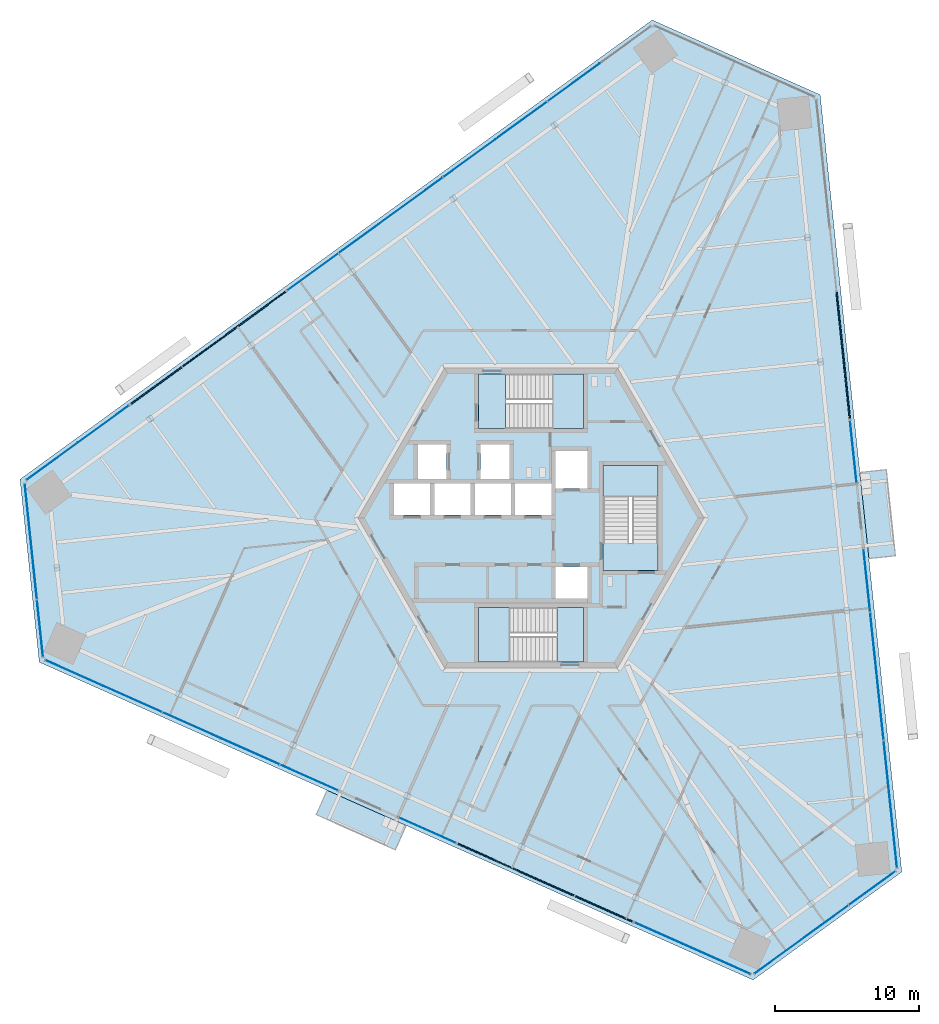
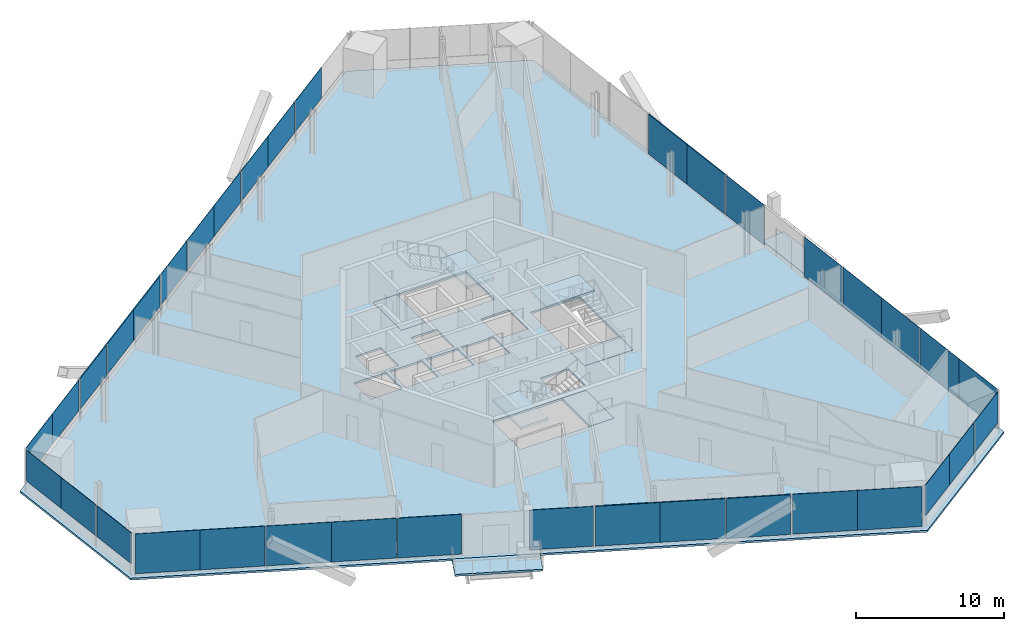
# One storey, part 9 of 18: 36 plates, 9 slabs, 15 elements without a shape of their own.
"""IFC4 building model written with IfcOpenShell, lengths in metres."""

from ifc_helpers import new_model, si_unit, direction, frame, origin, origin_2d, place, context, subcontext, project, spatial, polyline, rectangle, outline, extrude, source, transform, mapped, material, layer, layer_set, type_object, element, aggregate, save


model = new_model("IFC4")

# Units and contexts
model_context = context("Model", 3, precision=1e-05, world=origin(), true_north=direction((0.0, 1.0)))
body_context = subcontext(model_context, "Body", "Model", "MODEL_VIEW")
ifc_project = project(units=[si_unit("LENGTHUNIT", "METRE"), si_unit("AREAUNIT", "SQUARE_METRE"), si_unit("VOLUMEUNIT", "CUBIC_METRE"), si_unit("PLANEANGLEUNIT", "RADIAN"), si_unit("MASSUNIT", "GRAM", prefix="KILO")], contexts=[model_context])

# Site, building, storey
site_placement = place(None, origin())
site = spatial("IfcSite", under=ifc_project, at=site_placement, CompositionType="ELEMENT")
building_placement = place(site_placement, origin())
building = spatial("IfcBuilding", under=site, at=building_placement, Name="Triune Harvest Tower", CompositionType="ELEMENT")
storey_placement = place(building_placement, frame((0.0, 0.0, 83.699951171875)))
storey = spatial("IfcBuildingStorey", under=building, at=storey_placement, Name="L20", CompositionType="ELEMENT", Elevation=83.699951171875)

# Slab
ifc_material_1 = material(Name="Concrete 40 MPa", Category="concrete")
ifc_layer_1 = layer(ifc_material_1, 0.159912109375)
ifc_layer_set_1 = layer_set([ifc_layer_1], Name="Concrete 40 MPa")
slab_type_1 = type_object("IfcSlabType", Name="SL-1 Composite floor slab 160", PredefinedType="FLOOR", material=ifc_layer_set_1)
shared_shape_1 = source(origin(), body_context, "Body", "SweptSolid", [
    extrude(outline(polyline([(25.703125, -24.534423828125), (20.04052734375, 29.34228515625), (8.395751953125, 34.526611328125), (-35.431396484375, 2.6845703125), (-34.098876953125, -9.992431640625), (15.390869140625, -32.026611328125), (25.703125, -24.534423828125)]), holes=[polyline([(-7.0, 0.2099609375), (-7.0, 2.409912109375), (-9.5, 2.409912109375), (-9.5, 0.2099609375), (-7.0, 0.2099609375)]), polyline([(-4.199951171875, 0.2099609375), (-4.199951171875, 2.409912109375), (-6.699951171875, 2.409912109375), (-6.699951171875, 0.2099609375), (-4.199951171875, 0.2099609375)]), polyline([(-1.39990234375, 0.2099609375), (-1.39990234375, 2.409912109375), (-3.89990234375, 2.409912109375), (-3.89990234375, 0.2099609375), (-1.39990234375, 0.2099609375)]), polyline([(1.39990234375, 0.2099609375), (1.39990234375, 2.409912109375), (-1.10009765625, 2.409912109375), (-1.10009765625, 0.2099609375), (1.39990234375, 0.2099609375)]), polyline([(3.89990234375, 2.06005859375), (3.89990234375, 4.659912109375), (1.699951171875, 4.659912109375), (1.699951171875, 2.06005859375), (3.89990234375, 2.06005859375)]), polyline([(3.89990234375, -5.590087890625), (3.89990234375, -3.389892578125), (1.699951171875, -3.389892578125), (1.699951171875, -5.590087890625), (3.89990234375, -5.590087890625)]), polyline([(-5.85009765625, 2.7099609375), (-5.85009765625, 5.110107421875), (-7.85009765625, 5.110107421875), (-7.85009765625, 2.7099609375), (-5.85009765625, 2.7099609375)]), polyline([(-1.5, 2.7099609375), (-1.5, 5.110107421875), (-3.5, 5.110107421875), (-3.5, 2.7099609375), (-1.5, 2.7099609375)]), polyline([(3.64990234375, 6.18994140625), (3.64990234375, 9.989990234375), (-3.64990234375, 9.989990234375), (-3.64990234375, 6.18994140625), (3.64990234375, 6.18994140625)]), polyline([(3.64990234375, -9.989990234375), (3.64990234375, -6.18994140625), (-3.64990234375, -6.18994140625), (-3.64990234375, -9.989990234375), (3.64990234375, -9.989990234375)]), polyline([(8.800048828125, -3.64990234375), (8.800048828125, 3.64990234375), (5.0, 3.64990234375), (5.0, -3.64990234375), (8.800048828125, -3.64990234375)])]), origin(), (0.0, 0.0, 1.0), 0.159912109375),
])
slab_1_placement = place(storey_placement, frame((0.0, 0.0, -0.159912109375)))
element("IfcSlab", 1, at=slab_1_placement, inside=storey, type_object=slab_type_1, Name="slab/L20/1", PredefinedType="FLOOR", context=body_context, shape_type="MappedRepresentation", body=[
    mapped(shared_shape_1, transform((0.0, 0.0, 0.0), scale=1.0)),
])

# Stair, slabs
ifc_material_2 = material(Name="Concrete 40 MPa", Category="concrete")
stair_type = type_object("IfcStairType", Name="Exit stair 1800 half turn", PredefinedType="HALF_TURN_STAIR", material=ifc_material_2)
stair_1_placement = place(storey_placement, origin())
stair_1 = element("IfcStair", 2, at=stair_1_placement, inside=storey, type_object=stair_type, Name="Exit stair north", PredefinedType="HALF_TURN_STAIR")
ifc_material_3 = material(Name="Concrete 40 MPa", Category="concrete")
ifc_layer_2 = layer(ifc_material_3, 0.199951171875)
ifc_layer_set_2 = layer_set([ifc_layer_2], Name="Concrete 40 MPa")
slab_type_2 = type_object("IfcSlabType", Name="Stair landing 200", PredefinedType="LANDING", material=ifc_layer_set_2)
shared_shape_2 = source(origin(), body_context, "Body", "SweptSolid", [
    extrude(outline(polyline([(1.510009765625, 6.18994140625), (3.64990234375, 6.18994140625), (3.64990234375, 9.989990234375), (1.510009765625, 9.989990234375), (1.510009765625, 6.18994140625)])), origin(), (0.0, 0.0, 1.0), 0.199951171875),
])
slab_2_placement = place(storey_placement, frame((0.0, 0.0, 1.60009765625)))
slab_2 = element("IfcSlab", 3, at=slab_2_placement, type_object=slab_type_2, Name="ST-1 landing 2", PredefinedType="LANDING", context=body_context, shape_type="MappedRepresentation", body=[
    mapped(shared_shape_2, transform((0.0, 0.0, 0.0), scale=1.0)),
])
shared_shape_3 = source(origin(), body_context, "Body", "SweptSolid", [
    extrude(outline(polyline([(-3.64990234375, 6.18994140625), (-1.780029296875, 6.18994140625), (-1.780029296875, 9.989990234375), (-3.64990234375, 9.989990234375), (-3.64990234375, 6.18994140625)])), origin(), (0.0, 0.0, 1.0), 0.199951171875),
])
slab_3_placement = place(storey_placement, frame((0.0, 0.0, -0.199951171875)))
slab_3 = element("IfcSlab", 4, at=slab_3_placement, type_object=slab_type_2, Name="ST-1 landing 1", PredefinedType="LANDING", context=body_context, shape_type="MappedRepresentation", body=[
    mapped(shared_shape_3, transform((0.0, 0.0, 0.0), scale=1.0)),
])
aggregate(stair_1, [slab_3, slab_2])

stair_2_placement = place(storey_placement, origin())
stair_2 = element("IfcStair", 5, at=stair_2_placement, inside=storey, type_object=stair_type, Name="Exit stair south", PredefinedType="HALF_TURN_STAIR")
shared_shape_4 = source(origin(), body_context, "Body", "SweptSolid", [
    extrude(outline(polyline([(-1.510009765625, -6.18994140625), (-3.64990234375, -6.18994140625), (-3.64990234375, -9.989990234375), (-1.510009765625, -9.989990234375), (-1.510009765625, -6.18994140625)])), origin(), (0.0, 0.0, 1.0), 0.199951171875),
])
slab_4_placement = place(storey_placement, frame((0.0, 0.0, 1.60009765625)))
slab_4 = element("IfcSlab", 6, at=slab_4_placement, type_object=slab_type_2, Name="ST-2 landing 2", PredefinedType="LANDING", context=body_context, shape_type="MappedRepresentation", body=[
    mapped(shared_shape_4, transform((0.0, 0.0, 0.0), scale=1.0)),
])
shared_shape_5 = source(origin(), body_context, "Body", "SweptSolid", [
    extrude(outline(polyline([(3.64990234375, -6.18994140625), (1.780029296875, -6.18994140625), (1.780029296875, -9.989990234375), (3.64990234375, -9.989990234375), (3.64990234375, -6.18994140625)])), origin(), (0.0, 0.0, 1.0), 0.199951171875),
])
slab_5_placement = place(storey_placement, frame((0.0, 0.0, -0.199951171875)))
slab_5 = element("IfcSlab", 7, at=slab_5_placement, type_object=slab_type_2, Name="ST-2 landing 1", PredefinedType="LANDING", context=body_context, shape_type="MappedRepresentation", body=[
    mapped(shared_shape_5, transform((0.0, 0.0, 0.0), scale=1.0)),
])
aggregate(stair_2, [slab_5, slab_4])

stair_3_placement = place(storey_placement, origin())
stair_3 = element("IfcStair", 8, at=stair_3_placement, inside=storey, type_object=stair_type, Name="Exit stair east", PredefinedType="HALF_TURN_STAIR")
shared_shape_6 = source(origin(), body_context, "Body", "SweptSolid", [
    extrude(outline(polyline([(8.800048828125, 1.510009765625), (8.800048828125, 3.64990234375), (5.0, 3.64990234375), (5.0, 1.510009765625), (8.800048828125, 1.510009765625)])), origin(), (0.0, 0.0, 1.0), 0.199951171875),
])
slab_6_placement = place(storey_placement, frame((0.0, 0.0, 1.60009765625)))
slab_6 = element("IfcSlab", 9, at=slab_6_placement, type_object=slab_type_2, Name="ST-3 landing 2", PredefinedType="LANDING", context=body_context, shape_type="MappedRepresentation", body=[
    mapped(shared_shape_6, transform((0.0, 0.0, 0.0), scale=1.0)),
])
shared_shape_7 = source(origin(), body_context, "Body", "SweptSolid", [
    extrude(outline(polyline([(8.800048828125, -3.64990234375), (8.800048828125, -1.780029296875), (5.0, -1.780029296875), (5.0, -3.64990234375), (8.800048828125, -3.64990234375)])), origin(), (0.0, 0.0, 1.0), 0.199951171875),
])
slab_7_placement = place(storey_placement, frame((0.0, 0.0, -0.199951171875)))
slab_7 = element("IfcSlab", 10, at=slab_7_placement, type_object=slab_type_2, Name="ST-3 landing 1", PredefinedType="LANDING", context=body_context, shape_type="MappedRepresentation", body=[
    mapped(shared_shape_7, transform((0.0, 0.0, 0.0), scale=1.0)),
])
aggregate(stair_3, [slab_7, slab_6])

# Curtain wall, plates
ifc_material_4 = material(Name="Aluminium bronze anodised", Category="aluminium")
curtain_wall_type_1 = type_object("IfcCurtainWallType", Name="CW-1 Tower stick curtain wall", PredefinedType="NOTDEFINED", material=ifc_material_4)
curtain_wall_1_placement = place(storey_placement, origin())
curtain_wall_1 = element("IfcCurtainWall", 11, at=curtain_wall_1_placement, inside=storey, type_object=curtain_wall_type_1, Name="CW-1 B2-F4 L20 run 1")
ifc_material_5 = material(Name="Glass", Category="glass")
ifc_layer_3 = layer(ifc_material_5, 0.031982421875)
ifc_layer_set_3 = layer_set([ifc_layer_3], Name="Glass")
plate_type_1 = type_object("IfcPlateType", Name="GL-1 panel 32", PredefinedType="CURTAIN_PANEL", material=ifc_layer_set_3)
shared_shape_8 = source(origin(), body_context, "Body", "SweptSolid", [
    extrude(rectangle(XDim=3.99853515625, YDim=0.031982421875, at=origin_2d()), origin(), (0.0, 0.0, 1.0), 2.5400390625),
])
plate_1_placement = place(storey_placement, frame((-34.888671875, 0.39111328125, 0.900146484375), z_axis=(0.0, 0.0, 1.0), x_axis=(0.104529462601, -0.994521790334, 0.0)))
plate_1 = element("IfcPlate", 12, at=plate_1_placement, type_object=plate_type_1, Name="CW-1 panel B2-F4 1.1", PredefinedType="CURTAIN_PANEL", context=body_context, shape_type="MappedRepresentation", body=[
    mapped(shared_shape_8, transform((0.0, 0.0, 0.0), scale=1.0)),
])
shared_shape_9 = source(origin(), body_context, "Body", "SweptSolid", [
    extrude(rectangle(XDim=4.035888671875, YDim=0.031982421875, at=origin_2d()), origin(), (0.0, 0.0, 1.0), 2.5400390625),
])
plate_2_placement = place(storey_placement, frame((-34.46875, -3.60400390625, 0.900146484375), z_axis=(0.0, 0.0, 1.0), x_axis=(0.104529462601, -0.994521790334, 0.0)))
plate_2 = element("IfcPlate", 13, at=plate_2_placement, type_object=plate_type_1, Name="CW-1 panel B2-F4 1.2", PredefinedType="CURTAIN_PANEL", context=body_context, shape_type="MappedRepresentation", body=[
    mapped(shared_shape_9, transform((0.0, 0.0, 0.0), scale=1.0)),
])

# Curtain wall, plate
curtain_wall_2_placement = place(storey_placement, origin())
curtain_wall_2 = element("IfcCurtainWall", 14, at=curtain_wall_2_placement, inside=storey, type_object=curtain_wall_type_1, Name="CW-1 B2-F6 L20 run 1")
plate_3_placement = place(storey_placement, frame((20.35546875, -28.048828125, 0.900146484375), z_axis=(0.0, 0.0, 1.0), x_axis=(0.809013235692, 0.58779042564, 0.0)))
plate_3 = element("IfcPlate", 15, at=plate_3_placement, type_object=plate_type_1, Name="CW-1 panel B2-F6 1.2", PredefinedType="CURTAIN_PANEL", context=body_context, shape_type="MappedRepresentation", body=[
    mapped(shared_shape_9, transform((0.0, 0.0, 0.0), scale=1.0)),
])

# Plate
shared_shape_10 = source(origin(), body_context, "Body", "SweptSolid", [
    extrude(rectangle(XDim=3.9609375, YDim=0.031982421875, at=origin_2d()), origin(), (0.0, 0.0, 1.0), 2.5400390625),
])
plate_4_placement = place(storey_placement, frame((-34.04296875, -7.655029296875, 0.900146484375), z_axis=(0.0, 0.0, 1.0), x_axis=(0.104529462601, -0.994521790334, 0.0)))
plate_4 = element("IfcPlate", 16, at=plate_4_placement, type_object=plate_type_1, Name="CW-1 panel B2-F4 1.3", PredefinedType="CURTAIN_PANEL", context=body_context, shape_type="MappedRepresentation", body=[
    mapped(shared_shape_10, transform((0.0, 0.0, 0.0), scale=1.0)),
])

aggregate(curtain_wall_1, [plate_1, plate_2, plate_4])

plate_5_placement = place(storey_placement, frame((23.65087890625, -25.654541015625, 0.900146484375), z_axis=(0.0, 0.0, 1.0), x_axis=(0.809013235692, 0.58779042564, 0.0)))
plate_5 = element("IfcPlate", 17, at=plate_5_placement, type_object=plate_type_1, Name="CW-1 panel B2-F6 1.3", PredefinedType="CURTAIN_PANEL", context=body_context, shape_type="MappedRepresentation", body=[
    mapped(shared_shape_10, transform((0.0, 0.0, 0.0), scale=1.0)),
])

shared_shape_11 = source(origin(), body_context, "Body", "SweptSolid", [
    extrude(rectangle(XDim=3.998291015625, YDim=0.031982421875, at=origin_2d()), origin(), (0.0, 0.0, 1.0), 2.5400390625),
])
plate_6_placement = place(storey_placement, frame((17.10546875, -30.41015625, 0.900146484375), z_axis=(0.0, 0.0, 1.0), x_axis=(0.809013235692, 0.58779042564, 0.0)))
plate_6 = element("IfcPlate", 18, at=plate_6_placement, type_object=plate_type_1, Name="CW-1 panel B2-F6 1.1", PredefinedType="CURTAIN_PANEL", context=body_context, shape_type="MappedRepresentation", body=[
    mapped(shared_shape_11, transform((0.0, 0.0, 0.0), scale=1.0)),
])

aggregate(curtain_wall_2, [plate_6, plate_3, plate_5])

# Curtain wall, plates
ifc_material_6 = material(Name="Aluminium bronze anodised", Category="aluminium")
curtain_wall_type_2 = type_object("IfcCurtainWallType", Name="CW-7 Tower stick curtain wall with insulated spandrel infill", PredefinedType="NOTDEFINED", material=ifc_material_6)
curtain_wall_3_placement = place(storey_placement, origin())
curtain_wall_3 = element("IfcCurtainWall", 19, at=curtain_wall_3_placement, inside=storey, type_object=curtain_wall_type_2, Name="CW-7 B2-F3 L20 run 1001")
ifc_material_7 = material(Name="Insulated spandrel panel, bronze aluminium pan", Category="aluminium")
ifc_layer_4 = layer(ifc_material_7, 0.080078125)
ifc_layer_set_4 = layer_set([ifc_layer_4], Name="Insulated spandrel panel, bronze aluminium pan")
plate_type_2 = type_object("IfcPlateType", Name="SP-1 insulated spandrel panel 80", PredefinedType="CURTAIN_PANEL", material=ifc_layer_set_4)
shared_shape_12 = source(origin(), body_context, "Body", "SweptSolid", [
    extrude(rectangle(XDim=4.3955078125, YDim=0.080078125, at=origin_2d()), origin(), (0.0, 0.0, 1.0), 2.5400390625),
])
plate_7_placement = place(storey_placement, frame((-18.796875, 14.399169921875, 0.900146484375), z_axis=(0.0, 0.0, 1.0), x_axis=(-0.809017150083, -0.587785037979, 0.0)))
plate_7 = element("IfcPlate", 20, at=plate_7_placement, type_object=plate_type_2, Name="CW-7 panel B2-F3 1001.1", PredefinedType="CURTAIN_PANEL", context=body_context, shape_type="MappedRepresentation", body=[
    mapped(shared_shape_12, transform((0.0, 0.0, 0.0), scale=1.0)),
])
shared_shape_13 = source(origin(), body_context, "Body", "SweptSolid", [
    extrude(rectangle(XDim=4.43310546875, YDim=0.080078125, at=origin_2d()), origin(), (0.0, 0.0, 1.0), 2.5400390625),
])
plate_8_placement = place(storey_placement, frame((-22.3681640625, 11.8046875, 0.900146484375), z_axis=(0.0, 0.0, 1.0), x_axis=(-0.809017150083, -0.587785037979, 0.0)))
plate_8 = element("IfcPlate", 21, at=plate_8_placement, type_object=plate_type_2, Name="CW-7 panel B2-F3 1001.2", PredefinedType="CURTAIN_PANEL", context=body_context, shape_type="MappedRepresentation", body=[
    mapped(shared_shape_13, transform((0.0, 0.0, 0.0), scale=1.0)),
])

curtain_wall_4_placement = place(storey_placement, origin())
curtain_wall_4 = element("IfcCurtainWall", 22, at=curtain_wall_4_placement, inside=storey, type_object=curtain_wall_type_1, Name="CW-1 B2-F3 L20 run 2001")
shared_shape_14 = source(origin(), body_context, "Body", "SweptSolid", [
    extrude(rectangle(XDim=4.3955078125, YDim=0.031982421875, at=origin_2d()), origin(), (0.0, 0.0, 1.0), 2.5400390625),
])
plate_9_placement = place(storey_placement, frame((-29.647216796875, 6.51611328125, 0.900146484375), z_axis=(0.0, 0.0, 1.0), x_axis=(-0.809013679307, -0.587789815066, 0.0)))
plate_9 = element("IfcPlate", 23, at=plate_9_placement, type_object=plate_type_1, Name="CW-1 panel B2-F3 2001.1", PredefinedType="CURTAIN_PANEL", context=body_context, shape_type="MappedRepresentation", body=[
    mapped(shared_shape_14, transform((0.0, 0.0, 0.0), scale=1.0)),
])
plate_10_placement = place(storey_placement, frame((-33.203369140625, 3.932373046875, 0.900146484375), z_axis=(0.0, 0.0, 1.0), x_axis=(-0.809013679307, -0.587789815066, 0.0)))
plate_10 = element("IfcPlate", 24, at=plate_10_placement, type_object=plate_type_1, Name="CW-1 panel B2-F3 2001.2", PredefinedType="CURTAIN_PANEL", context=body_context, shape_type="MappedRepresentation", body=[
    mapped(shared_shape_14, transform((0.0, 0.0, 0.0), scale=1.0)),
])
aggregate(curtain_wall_4, [plate_9, plate_10])

curtain_wall_5_placement = place(storey_placement, origin())
curtain_wall_5 = element("IfcCurtainWall", 25, at=curtain_wall_5_placement, inside=storey, type_object=curtain_wall_type_1, Name="CW-1 B2-F3 L20 run 1")
shared_shape_15 = source(origin(), body_context, "Body", "SweptSolid", [
    extrude(rectangle(XDim=4.43310546875, YDim=0.031982421875, at=origin_2d()), origin(), (0.0, 0.0, 1.0), 2.5400390625),
])
plate_11_placement = place(storey_placement, frame((2.94921875, 30.19873046875, 0.900146484375), z_axis=(0.0, 0.0, 1.0), x_axis=(-0.809017907488, -0.587783995498, 0.0)))
plate_11 = element("IfcPlate", 26, at=plate_11_placement, type_object=plate_type_1, Name="CW-1 panel B2-F3 1.2", PredefinedType="CURTAIN_PANEL", context=body_context, shape_type="MappedRepresentation", body=[
    mapped(shared_shape_15, transform((0.0, 0.0, 0.0), scale=1.0)),
])
plate_12_placement = place(storey_placement, frame((-0.697998046875, 27.549072265625, 0.900146484375), z_axis=(0.0, 0.0, 1.0), x_axis=(-0.809017907488, -0.587783995498, 0.0)))
plate_12 = element("IfcPlate", 27, at=plate_12_placement, type_object=plate_type_1, Name="CW-1 panel B2-F3 1.3", PredefinedType="CURTAIN_PANEL", context=body_context, shape_type="MappedRepresentation", body=[
    mapped(shared_shape_15, transform((0.0, 0.0, 0.0), scale=1.0)),
])
plate_13_placement = place(storey_placement, frame((-4.284423828125, 24.943359375, 0.900146484375), z_axis=(0.0, 0.0, 1.0), x_axis=(-0.809017907488, -0.587783995498, 0.0)))
plate_13 = element("IfcPlate", 28, at=plate_13_placement, type_object=plate_type_1, Name="CW-1 panel B2-F3 1.4", PredefinedType="CURTAIN_PANEL", context=body_context, shape_type="MappedRepresentation", body=[
    mapped(shared_shape_15, transform((0.0, 0.0, 0.0), scale=1.0)),
])
plate_14_placement = place(storey_placement, frame((-7.931396484375, 22.29345703125, 0.900146484375), z_axis=(0.0, 0.0, 1.0), x_axis=(-0.809017907488, -0.587783995498, 0.0)))
plate_14 = element("IfcPlate", 29, at=plate_14_placement, type_object=plate_type_1, Name="CW-1 panel B2-F3 1.5", PredefinedType="CURTAIN_PANEL", context=body_context, shape_type="MappedRepresentation", body=[
    mapped(shared_shape_15, transform((0.0, 0.0, 0.0), scale=1.0)),
])
plate_15_placement = place(storey_placement, frame((-11.517822265625, 19.687744140625, 0.900146484375), z_axis=(0.0, 0.0, 1.0), x_axis=(-0.809017907488, -0.587783995498, 0.0)))
plate_15 = element("IfcPlate", 30, at=plate_15_placement, type_object=plate_type_1, Name="CW-1 panel B2-F3 1.6", PredefinedType="CURTAIN_PANEL", context=body_context, shape_type="MappedRepresentation", body=[
    mapped(shared_shape_15, transform((0.0, 0.0, 0.0), scale=1.0)),
])

ifc_material_8 = material(Name="Aluminium bronze anodised", Category="aluminium")
curtain_wall_type_3 = type_object("IfcCurtainWallType", Name="CW-6 Balcony window wall", PredefinedType="NOTDEFINED", material=ifc_material_8)
curtain_wall_6_placement = place(storey_placement, origin())
curtain_wall_6 = element("IfcCurtainWall", 31, at=curtain_wall_6_placement, inside=storey, type_object=curtain_wall_type_3, Name="CW-6 B2-F5 L20 run 2002")
ifc_material_9 = material(Name="Glass", Category="glass")
ifc_layer_5 = layer(ifc_material_9, 0.030029296875)
ifc_layer_set_5 = layer_set([ifc_layer_5], Name="Glass")
plate_type_3 = type_object("IfcPlateType", Name="GL-6 panel 30", PredefinedType="CURTAIN_PANEL", material=ifc_layer_set_5)
shared_shape_16 = source(origin(), body_context, "Body", "SweptSolid", [
    extrude(rectangle(XDim=4.3955078125, YDim=0.030029296875, at=origin_2d()), origin(), (0.0, 0.0, 1.0), 3.2900390625),
])
plate_16_placement = place(storey_placement, frame((9.1806640625, -28.933349609375, 0.150146484375), z_axis=(0.0, 0.0, 1.0), x_axis=(0.913546072938, -0.406735261097, 0.0)))
plate_16 = element("IfcPlate", 32, at=plate_16_placement, type_object=plate_type_3, Name="CW-6 panel B2-F5 2002.1", PredefinedType="CURTAIN_PANEL", context=body_context, shape_type="MappedRepresentation", body=[
    mapped(shared_shape_16, transform((0.0, 0.0, 0.0), scale=1.0)),
])
plate_17_placement = place(storey_placement, frame((13.1962890625, -30.72119140625, 0.150146484375), z_axis=(0.0, 0.0, 1.0), x_axis=(0.913546072938, -0.406735261097, 0.0)))
plate_17 = element("IfcPlate", 33, at=plate_17_placement, type_object=plate_type_3, Name="CW-6 panel B2-F5 2002.2", PredefinedType="CURTAIN_PANEL", context=body_context, shape_type="MappedRepresentation", body=[
    mapped(shared_shape_16, transform((0.0, 0.0, 0.0), scale=1.0)),
])
aggregate(curtain_wall_6, [plate_16, plate_17])

# Plate
shared_shape_17 = source(origin(), body_context, "Body", "SweptSolid", [
    extrude(rectangle(XDim=4.358154296875, YDim=0.031982421875, at=origin_2d()), origin(), (0.0, 0.0, 1.0), 2.5400390625),
])
plate_18_placement = place(storey_placement, frame((-15.134765625, 17.06005859375, 0.900146484375), z_axis=(0.0, 0.0, 1.0), x_axis=(-0.809017907488, -0.587783995498, 0.0)))
plate_18 = element("IfcPlate", 34, at=plate_18_placement, type_object=plate_type_1, Name="CW-1 panel B2-F3 1.7", PredefinedType="CURTAIN_PANEL", context=body_context, shape_type="MappedRepresentation", body=[
    mapped(shared_shape_17, transform((0.0, 0.0, 0.0), scale=1.0)),
])

aggregate(curtain_wall_5, [plate_11, plate_12, plate_13, plate_14, plate_15, plate_18])

shared_shape_18 = source(origin(), body_context, "Body", "SweptSolid", [
    extrude(rectangle(XDim=4.358154296875, YDim=0.080078125, at=origin_2d()), origin(), (0.0, 0.0, 1.0), 2.5400390625),
])
plate_19_placement = place(storey_placement, frame((-25.98486328125, 9.177001953125, 0.900146484375), z_axis=(0.0, 0.0, 1.0), x_axis=(-0.809017150083, -0.587785037979, 0.0)))
plate_19 = element("IfcPlate", 35, at=plate_19_placement, type_object=plate_type_2, Name="CW-7 panel B2-F3 1001.3", PredefinedType="CURTAIN_PANEL", context=body_context, shape_type="MappedRepresentation", body=[
    mapped(shared_shape_18, transform((0.0, 0.0, 0.0), scale=1.0)),
])

aggregate(curtain_wall_3, [plate_7, plate_8, plate_19])

# Curtain wall, plate
curtain_wall_7_placement = place(storey_placement, origin())
curtain_wall_7 = element("IfcCurtainWall", 36, at=curtain_wall_7_placement, inside=storey, type_object=curtain_wall_type_3, Name="CW-6 B2-F1 L20 run 1")
shared_shape_19 = source(origin(), body_context, "Body", "SweptSolid", [
    extrude(rectangle(XDim=4.392578125, YDim=0.030029296875, at=origin_2d()), origin(), (0.0, 0.0, 1.0), 3.2900390625),
])
plate_20_placement = place(storey_placement, frame((25.139892578125, -22.045166015625, 0.150146484375), z_axis=(0.0, 0.0, 1.0), x_axis=(-0.104527536558, 0.994521992769, 0.0)))
plate_20 = element("IfcPlate", 37, at=plate_20_placement, type_object=plate_type_3, Name="CW-6 panel B2-F1 1.1", PredefinedType="CURTAIN_PANEL", context=body_context, shape_type="MappedRepresentation", body=[
    mapped(shared_shape_19, transform((0.0, 0.0, 0.0), scale=1.0)),
])

curtain_wall_8_placement = place(storey_placement, origin())
curtain_wall_8 = element("IfcCurtainWall", 38, at=curtain_wall_8_placement, inside=storey, type_object=curtain_wall_type_3, Name="CW-6 B2-F5 L20 run 1")
plate_21_placement = place(storey_placement, frame((-31.661376953125, -10.749267578125, 0.150146484375), z_axis=(0.0, 0.0, 1.0), x_axis=(0.913545207137, -0.406737205721, 0.0)))
plate_21 = element("IfcPlate", 39, at=plate_21_placement, type_object=plate_type_3, Name="CW-6 panel B2-F5 1.1", PredefinedType="CURTAIN_PANEL", context=body_context, shape_type="MappedRepresentation", body=[
    mapped(shared_shape_19, transform((0.0, 0.0, 0.0), scale=1.0)),
])

# Plate
shared_shape_20 = source(origin(), body_context, "Body", "SweptSolid", [
    extrude(rectangle(XDim=4.43017578125, YDim=0.030029296875, at=origin_2d()), origin(), (0.0, 0.0, 1.0), 3.2900390625),
])
plate_22_placement = place(storey_placement, frame((24.6787109375, -17.657958984375, 0.150146484375), z_axis=(0.0, 0.0, 1.0), x_axis=(-0.104527536558, 0.994521992769, 0.0)))
plate_22 = element("IfcPlate", 40, at=plate_22_placement, type_object=plate_type_3, Name="CW-6 panel B2-F1 1.2", PredefinedType="CURTAIN_PANEL", context=body_context, shape_type="MappedRepresentation", body=[
    mapped(shared_shape_20, transform((0.0, 0.0, 0.0), scale=1.0)),
])

plate_23_placement = place(storey_placement, frame((24.207763671875, -13.177490234375, 0.150146484375), z_axis=(0.0, 0.0, 1.0), x_axis=(-0.104527536558, 0.994521992769, 0.0)))
plate_23 = element("IfcPlate", 41, at=plate_23_placement, type_object=plate_type_3, Name="CW-6 panel B2-F1 1.3", PredefinedType="CURTAIN_PANEL", context=body_context, shape_type="MappedRepresentation", body=[
    mapped(shared_shape_20, transform((0.0, 0.0, 0.0), scale=1.0)),
])

plate_24_placement = place(storey_placement, frame((23.74462890625, -8.771728515625, 0.150146484375), z_axis=(0.0, 0.0, 1.0), x_axis=(-0.104527536558, 0.994521992769, 0.0)))
plate_24 = element("IfcPlate", 42, at=plate_24_placement, type_object=plate_type_3, Name="CW-6 panel B2-F1 1.4", PredefinedType="CURTAIN_PANEL", context=body_context, shape_type="MappedRepresentation", body=[
    mapped(shared_shape_20, transform((0.0, 0.0, 0.0), scale=1.0)),
])

plate_25_placement = place(storey_placement, frame((-27.631591796875, -12.54345703125, 0.150146484375), z_axis=(0.0, 0.0, 1.0), x_axis=(0.913545207137, -0.406737205721, 0.0)))
plate_25 = element("IfcPlate", 43, at=plate_25_placement, type_object=plate_type_3, Name="CW-6 panel B2-F5 1.2", PredefinedType="CURTAIN_PANEL", context=body_context, shape_type="MappedRepresentation", body=[
    mapped(shared_shape_20, transform((0.0, 0.0, 0.0), scale=1.0)),
])

plate_26_placement = place(storey_placement, frame((-23.515869140625, -14.3759765625, 0.150146484375), z_axis=(0.0, 0.0, 1.0), x_axis=(0.913545207137, -0.406737205721, 0.0)))
plate_26 = element("IfcPlate", 44, at=plate_26_placement, type_object=plate_type_3, Name="CW-6 panel B2-F5 1.3", PredefinedType="CURTAIN_PANEL", context=body_context, shape_type="MappedRepresentation", body=[
    mapped(shared_shape_20, transform((0.0, 0.0, 0.0), scale=1.0)),
])

plate_27_placement = place(storey_placement, frame((-19.46875, -16.177734375, 0.150146484375), z_axis=(0.0, 0.0, 1.0), x_axis=(0.913545207137, -0.406737205721, 0.0)))
plate_27 = element("IfcPlate", 45, at=plate_27_placement, type_object=plate_type_3, Name="CW-6 panel B2-F5 1.4", PredefinedType="CURTAIN_PANEL", context=body_context, shape_type="MappedRepresentation", body=[
    mapped(shared_shape_20, transform((0.0, 0.0, 0.0), scale=1.0)),
])

shared_shape_21 = source(origin(), body_context, "Body", "SweptSolid", [
    extrude(rectangle(XDim=4.35498046875, YDim=0.030029296875, at=origin_2d()), origin(), (0.0, 0.0, 1.0), 3.2900390625),
])
plate_28_placement = place(storey_placement, frame((23.27783203125, -4.32861328125, 0.150146484375), z_axis=(0.0, 0.0, 1.0), x_axis=(-0.104527536558, 0.994521992769, 0.0)))
plate_28 = element("IfcPlate", 46, at=plate_28_placement, type_object=plate_type_3, Name="CW-6 panel B2-F1 1.5", PredefinedType="CURTAIN_PANEL", context=body_context, shape_type="MappedRepresentation", body=[
    mapped(shared_shape_21, transform((0.0, 0.0, 0.0), scale=1.0)),
])

aggregate(curtain_wall_7, [plate_20, plate_22, plate_23, plate_24, plate_28])

plate_29_placement = place(storey_placement, frame((-15.387451171875, -17.994873046875, 0.150146484375), z_axis=(0.0, 0.0, 1.0), x_axis=(0.913545207137, -0.406737205721, 0.0)))
plate_29 = element("IfcPlate", 47, at=plate_29_placement, type_object=plate_type_3, Name="CW-6 panel B2-F5 1.5", PredefinedType="CURTAIN_PANEL", context=body_context, shape_type="MappedRepresentation", body=[
    mapped(shared_shape_21, transform((0.0, 0.0, 0.0), scale=1.0)),
])

aggregate(curtain_wall_8, [plate_21, plate_25, plate_26, plate_27, plate_29])

# Slab
ifc_material_10 = material(Name="Concrete 40 MPa", Category="concrete")
ifc_layer_6 = layer(ifc_material_10, 0.159912109375)
ifc_layer_set_6 = layer_set([ifc_layer_6], Name="Concrete 40 MPa")
slab_type_3 = type_object("IfcSlabType", Name="BA-1 balcony slab 160", PredefinedType="FLOOR", material=ifc_layer_set_6)
shared_shape_22 = source(origin(), body_context, "Body", "SweptSolid", [
    extrude(outline(polyline([(23.419921875, -2.810302734375), (22.79248046875, 3.156982421875), (24.627197265625, 3.349853515625), (25.25439453125, -2.6171875), (23.419921875, -2.810302734375)])), origin(), (0.0, 0.0, 1.0), 0.159912109375),
])
slab_8_placement = place(storey_placement, frame((0.0, 0.0, -0.159912109375)))
element("IfcSlab", 48, at=slab_8_placement, inside=storey, type_object=slab_type_3, Name="Balcony slab B2-F1 L20.6", PredefinedType="FLOOR", context=body_context, shape_type="MappedRepresentation", body=[
    mapped(shared_shape_22, transform((0.0, 0.0, 0.0), scale=1.0)),
])

# Curtain wall, plate
curtain_wall_9_placement = place(storey_placement, origin())
curtain_wall_9 = element("IfcCurtainWall", 49, at=curtain_wall_9_placement, inside=storey, type_object=curtain_wall_type_3, Name="CW-6 B2-F1 L20 run 2")
shared_shape_23 = source(origin(), body_context, "Body", "SweptSolid", [
    extrude(rectangle(XDim=4.320556640625, YDim=0.030029296875, at=origin_2d()), origin(), (0.0, 0.0, 1.0), 3.2900390625),
])
plate_30_placement = place(storey_placement, frame((22.33984375, 4.595458984375, 0.150146484375), z_axis=(0.0, 0.0, 1.0), x_axis=(-0.104528754165, 0.994521864794, 0.0)))
plate_30 = element("IfcPlate", 50, at=plate_30_placement, type_object=plate_type_3, Name="CW-6 panel B2-F1 2.1", PredefinedType="CURTAIN_PANEL", context=body_context, shape_type="MappedRepresentation", body=[
    mapped(shared_shape_23, transform((0.0, 0.0, 0.0), scale=1.0)),
])
aggregate(curtain_wall_9, [plate_30])

curtain_wall_10_placement = place(storey_placement, origin())
curtain_wall_10 = element("IfcCurtainWall", 51, at=curtain_wall_10_placement, inside=storey, type_object=curtain_wall_type_3, Name="CW-6 B2-F5 L20 run 2")
plate_31_placement = place(storey_placement, frame((-7.18994140625, -21.64453125, 0.150146484375), z_axis=(0.0, 0.0, 1.0), x_axis=(0.913548467428, -0.40672988292, 0.0)))
plate_31 = element("IfcPlate", 52, at=plate_31_placement, type_object=plate_type_3, Name="CW-6 panel B2-F5 2.1", PredefinedType="CURTAIN_PANEL", context=body_context, shape_type="MappedRepresentation", body=[
    mapped(shared_shape_23, transform((0.0, 0.0, 0.0), scale=1.0)),
])
aggregate(curtain_wall_10, [plate_31])

ifc_material_11 = material(Name="Aluminium bronze anodised", Category="aluminium")
curtain_wall_type_4 = type_object("IfcCurtainWallType", Name="CW-10 Balcony window wall with insulated spandrel infill", PredefinedType="NOTDEFINED", material=ifc_material_11)
curtain_wall_11_placement = place(storey_placement, origin())
curtain_wall_11 = element("IfcCurtainWall", 53, at=curtain_wall_11_placement, inside=storey, type_object=curtain_wall_type_4, Name="CW-10 B2-F1 L20 run 1002")
shared_shape_24 = source(origin(), body_context, "Body", "SweptSolid", [
    extrude(rectangle(XDim=4.3955078125, YDim=0.080078125, at=origin_2d()), origin(), (0.0, 0.0, 1.0), 3.2900390625),
])
plate_32_placement = place(storey_placement, frame((21.868408203125, 9.078857421875, 0.150146484375), z_axis=(0.0, 0.0, 1.0), x_axis=(-0.104527591495, 0.994521986995, 0.0)))
plate_32 = element("IfcPlate", 54, at=plate_32_placement, type_object=plate_type_2, Name="CW-10 panel B2-F1 1002.1", PredefinedType="CURTAIN_PANEL", context=body_context, shape_type="MappedRepresentation", body=[
    mapped(shared_shape_24, transform((0.0, 0.0, 0.0), scale=1.0)),
])

curtain_wall_12_placement = place(storey_placement, origin())
curtain_wall_12 = element("IfcCurtainWall", 55, at=curtain_wall_12_placement, inside=storey, type_object=curtain_wall_type_4, Name="CW-10 B2-F5 L20 run 1002")
plate_33_placement = place(storey_placement, frame((-3.071533203125, -23.478271484375, 0.150146484375), z_axis=(0.0, 0.0, 1.0), x_axis=(0.91354354316, -0.406740943046, 0.0)))
plate_33 = element("IfcPlate", 56, at=plate_33_placement, type_object=plate_type_2, Name="CW-10 panel B2-F5 1002.1", PredefinedType="CURTAIN_PANEL", context=body_context, shape_type="MappedRepresentation", body=[
    mapped(shared_shape_24, transform((0.0, 0.0, 0.0), scale=1.0)),
])

# Plate
shared_shape_25 = source(origin(), body_context, "Body", "SweptSolid", [
    extrude(rectangle(XDim=4.43310546875, YDim=0.080078125, at=origin_2d()), origin(), (0.0, 0.0, 1.0), 3.2900390625),
])
plate_34_placement = place(storey_placement, frame((21.4072265625, 13.468994140625, 0.150146484375), z_axis=(0.0, 0.0, 1.0), x_axis=(-0.104527591495, 0.994521986995, 0.0)))
plate_34 = element("IfcPlate", 57, at=plate_34_placement, type_object=plate_type_2, Name="CW-10 panel B2-F1 1002.2", PredefinedType="CURTAIN_PANEL", context=body_context, shape_type="MappedRepresentation", body=[
    mapped(shared_shape_25, transform((0.0, 0.0, 0.0), scale=1.0)),
])

aggregate(curtain_wall_11, [plate_32, plate_34])

plate_35_placement = place(storey_placement, frame((0.961181640625, -25.273681640625, 0.150146484375), z_axis=(0.0, 0.0, 1.0), x_axis=(0.91354354316, -0.406740943046, 0.0)))
plate_35 = element("IfcPlate", 58, at=plate_35_placement, type_object=plate_type_2, Name="CW-10 panel B2-F5 1002.2", PredefinedType="CURTAIN_PANEL", context=body_context, shape_type="MappedRepresentation", body=[
    mapped(shared_shape_25, transform((0.0, 0.0, 0.0), scale=1.0)),
])

shared_shape_26 = source(origin(), body_context, "Body", "SweptSolid", [
    extrude(rectangle(XDim=4.358154296875, YDim=0.080078125, at=origin_2d()), origin(), (0.0, 0.0, 1.0), 3.2900390625),
])
plate_36_placement = place(storey_placement, frame((5.045166015625, -27.092041015625, 0.150146484375), z_axis=(0.0, 0.0, 1.0), x_axis=(0.91354354316, -0.406740943046, 0.0)))
plate_36 = element("IfcPlate", 59, at=plate_36_placement, type_object=plate_type_2, Name="CW-10 panel B2-F5 1002.3", PredefinedType="CURTAIN_PANEL", context=body_context, shape_type="MappedRepresentation", body=[
    mapped(shared_shape_26, transform((0.0, 0.0, 0.0), scale=1.0)),
])

aggregate(curtain_wall_12, [plate_33, plate_35, plate_36])

# Slab
shared_shape_27 = source(origin(), body_context, "Body", "SweptSolid", [
    extrude(outline(polyline([(-14.1435546875, -18.877197265625), (-8.662109375, -21.317626953125), (-9.41259765625, -23.002685546875), (-14.893798828125, -20.562255859375), (-14.1435546875, -18.877197265625)])), origin(), (0.0, 0.0, 1.0), 0.159912109375),
])
slab_9_placement = place(storey_placement, frame((0.0, 0.0, -0.159912109375)))
element("IfcSlab", 60, at=slab_9_placement, inside=storey, type_object=slab_type_3, Name="Balcony slab B2-F5 L20.6", PredefinedType="FLOOR", context=body_context, shape_type="MappedRepresentation", body=[
    mapped(shared_shape_27, transform((0.0, 0.0, 0.0), scale=1.0)),
])

save(model, "model.ifc")
